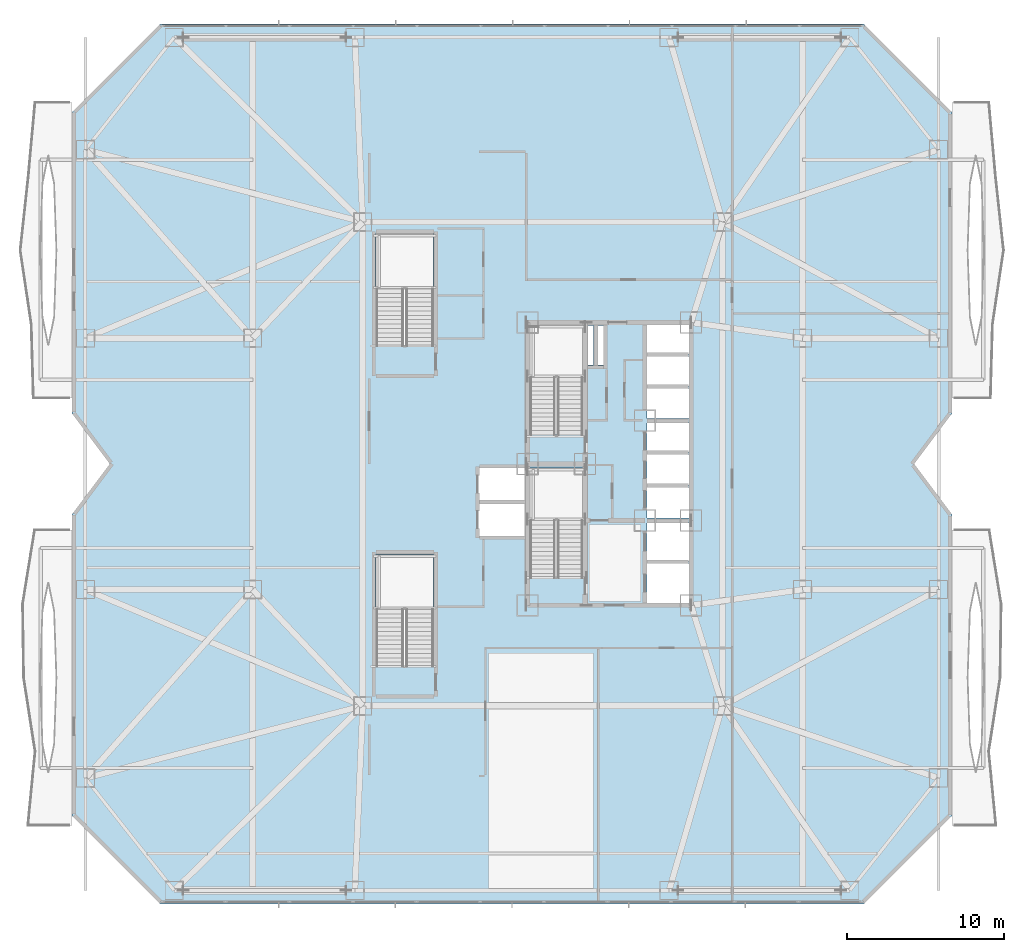
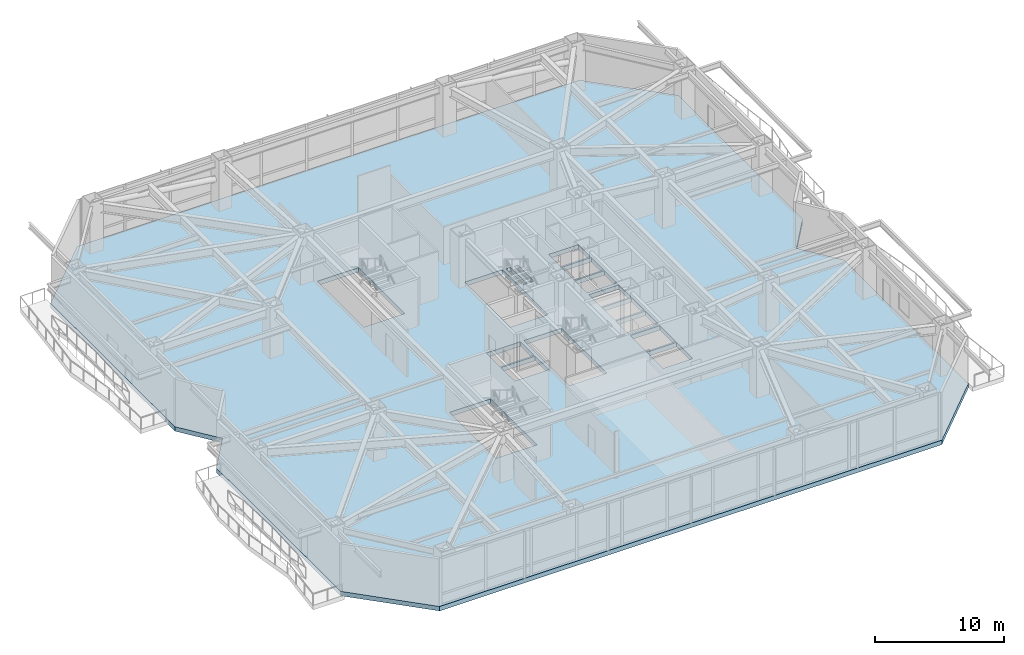
# One storey, part 17 of 33: 1 slab.
"""IFC4 building model written with IfcOpenShell, lengths in metres."""

import ifcopenshell
import ifcopenshell.guid

model = None  # the IFC model being written
_history = None  # IfcOwnerHistory: only IFC2X3 demands one
_inside = {}  # id of a spatial element -> (the spatial element, [elements in it])
_under = {}  # id of a project, library or spatial element -> (it, [spatial elements below it])
_declared = {}  # id of a project -> (the project, [libraries it declares])
_typed = {}  # id of a type object -> (the type object, [elements of that type])
_made_of = {}  # id of a material, layer set ... -> (it, [elements and type objects made of it])


def new_model(schema):
    """Start an empty IFC model of exactly this schema.

    Asked for "IFC4X3", IfcOpenShell would pick the latest addendum, in which some entities
    have other attributes; the version numbers below select the first issue.
    IFC2X3 requires an IfcOwnerHistory on every rooted entity: one is made here for all.
    """
    global model, _history
    if schema == "IFC4X3":
        model = ifcopenshell.file(schema_version=(4, 3, 0, 0))
    else:
        model = ifcopenshell.file(schema=schema)
    _inside.clear()
    _under.clear()
    _declared.clear()
    _typed.clear()
    _made_of.clear()
    _history = None
    if model.schema == "IFC2X3":
        org = make("IfcOrganization", Name="unknown")
        user = make(
            "IfcPersonAndOrganization",
            ThePerson=make("IfcPerson", FamilyName="unknown"),
            TheOrganization=org,
        )
        app = make(
            "IfcApplication",
            ApplicationDeveloper=org,
            Version="unknown",
            ApplicationFullName="unknown",
            ApplicationIdentifier="unknown",
        )
        _history = make(
            "IfcOwnerHistory",
            OwningUser=user,
            OwningApplication=app,
            ChangeAction="ADDED",
            CreationDate=0,
        )
    return model


def make(cls, **values):
    """One entity of the class cls with the attributes given. An attribute that is None is left unset."""
    return model.create_entity(
        cls, **{name: value for name, value in values.items() if value is not None}
    )


def rooted(cls, **values):
    """An entity with a GlobalId (a new one), such as an element, a storey or a relation."""
    return make(cls, GlobalId=ifcopenshell.guid.new(), OwnerHistory=_history, **values)


def si_unit(unit_type, name, prefix=None):
    """IfcSIUnit, for example si_unit("LENGTHUNIT", "METRE", prefix="MILLI")."""
    return make("IfcSIUnit", UnitType=unit_type, Prefix=prefix, Name=name)


def assignment(units):
    """IfcUnitAssignment: the units of a project."""
    return None if units is None else make("IfcUnitAssignment", Units=units)


def point(xyz):
    """IfcCartesianPoint."""
    return None if xyz is None else make("IfcCartesianPoint", Coordinates=xyz)


def direction(xyz):
    """IfcDirection."""
    return None if xyz is None else make("IfcDirection", DirectionRatios=xyz)


def frame(location, z_axis=None, x_axis=None):
    """IfcAxis2Placement3D, a coordinate frame: its origin and axes. An axis left out is left unset."""
    return make(
        "IfcAxis2Placement3D",
        Location=point(location),
        Axis=direction(z_axis),
        RefDirection=direction(x_axis),
    )


def origin():
    """The frame at (0, 0, 0) with its axes left unset."""
    return frame((0.0, 0.0, 0.0))


def place(relative_to, where):
    """IfcLocalPlacement: puts the frame where relative to a parent placement (None: the world)."""
    return make(
        "IfcLocalPlacement", PlacementRelTo=relative_to, RelativePlacement=where
    )


def context(
    kind, dimensions, precision=None, world=None, true_north=None, identifier=None
):
    """IfcGeometricRepresentationContext, for example the 3D "Model" context."""
    return make(
        "IfcGeometricRepresentationContext",
        ContextIdentifier=identifier,
        ContextType=kind,
        CoordinateSpaceDimension=dimensions,
        Precision=precision,
        WorldCoordinateSystem=world,
        TrueNorth=true_north,
    )


def subcontext(parent, identifier, kind, view, scale=None):
    """IfcGeometricRepresentationSubContext, for example "Body" below "Model"."""
    return make(
        "IfcGeometricRepresentationSubContext",
        ContextIdentifier=identifier,
        ContextType=kind,
        ParentContext=parent,
        TargetScale=scale,
        TargetView=view,
    )


def project(units=None, contexts=None):
    """IfcProject with its units and contexts."""
    return rooted(
        "IfcProject",
        Name="project",
        RepresentationContexts=contexts,
        UnitsInContext=assignment(units),
    )


def spatial(cls, under=None, at=None, **own):
    """A site, building, storey or space (cls), placed at a placement, below another one or the project."""
    s = rooted(cls, ObjectPlacement=at, **own)
    if under is not None:
        _under.setdefault(under.id(), (under, []))[1].append(s)
    return s


def polyline(points):
    """IfcPolyline through the points."""
    return make("IfcPolyline", Points=[point(p) for p in points])


def outline(outer, holes=None, kind="AREA"):
    """IfcArbitraryClosedProfileDef: a profile drawn as a closed curve; with holes, ...WithVoids."""
    if holes is None:
        return make("IfcArbitraryClosedProfileDef", ProfileType=kind, OuterCurve=outer)
    return make(
        "IfcArbitraryProfileDefWithVoids",
        ProfileType=kind,
        OuterCurve=outer,
        InnerCurves=holes,
    )


def extrude(swept, where, along, depth):
    """IfcExtrudedAreaSolid: the profile swept, set in the frame where, extruded along a direction by depth."""
    return make(
        "IfcExtrudedAreaSolid",
        SweptArea=swept,
        Position=where,
        ExtrudedDirection=direction(along),
        Depth=depth,
    )


def shape(context_of_items, identifier, shape_type, items):
    """IfcShapeRepresentation: the items that make up one representation, for example the "Body"."""
    return make(
        "IfcShapeRepresentation",
        ContextOfItems=context_of_items,
        RepresentationIdentifier=identifier,
        RepresentationType=shape_type,
        Items=items,
    )


def material(Name=None, Category=None):
    """IfcMaterial."""
    return make("IfcMaterial", Name=Name, Category=Category)


def layer(
    of_material, thickness, ventilated=None, Name=None, Category=None, Priority=None
):
    """IfcMaterialLayer: one layer of a wall or slab, of a material (None: an air gap)."""
    return make(
        "IfcMaterialLayer",
        Material=of_material,
        LayerThickness=thickness,
        IsVentilated=ventilated,
        Name=Name,
        Category=Category,
        Priority=Priority,
    )


def layer_set(layers, Name=None):
    """IfcMaterialLayerSet."""
    return make("IfcMaterialLayerSet", MaterialLayers=layers, LayerSetName=Name)


def made_of(thing, what):
    """Note that an element or type object is made of a material, layer set ...; save() writes the relation."""
    if what is not None:
        _made_of.setdefault(what.id(), (what, []))[1].append(thing)
    return thing


def type_object(cls, material=None, **own):
    """A type object (cls), such as IfcWallType, which elements share."""
    return made_of(rooted(cls, **own), material)


def element(
    cls,
    number,
    at=None,
    inside=None,
    cuts=None,
    type_object=None,
    material=None,
    context=None,
    identifier="Body",
    shape_type=None,
    held_by="IfcProductDefinitionShape",
    body=None,
    shapes=None,
    **own,
):
    """One element of the class cls, such as IfcWall. Its Tag is "e" and its number.

    at: its placement. inside: the storey or other place that contains it. cuts: it is an
    opening in that element (IfcRelVoidsElement). A single representation is given by context,
    identifier, shape_type and body (its items); several are given by shapes. held_by: the class
    of the entity that holds the representations. save() writes the other relations.
    """
    e = rooted(cls, Tag="e%d" % number, ObjectPlacement=at, **own)
    if body is not None:
        shapes = [shape(context, identifier, shape_type, body)]
    if shapes is not None:
        e.Representation = make(held_by, Representations=shapes)
    if inside is not None:
        _inside.setdefault(inside.id(), (inside, []))[1].append(e)
    if cuts is not None:
        rooted(
            "IfcRelVoidsElement", RelatingBuildingElement=cuts, RelatedOpeningElement=e
        )
    if type_object is not None:
        _typed.setdefault(type_object.id(), (type_object, []))[1].append(e)
    return made_of(e, material)


def aggregate(whole, parts):
    """IfcRelAggregates: a whole, such as a stair, and the parts it consists of."""
    return rooted("IfcRelAggregates", RelatingObject=whole, RelatedObjects=parts)


def save(model, path):
    """Write the relations noted so far, then the file.

    IfcRelAggregates (storeys below a building ...), IfcRelContainedInSpatialStructure (elements
    in a storey), IfcRelDefinesByType, IfcRelAssociatesMaterial and IfcRelDeclares: one each for
    every whole, place, type object, material and project.
    """
    for whole, parts in _under.values():
        aggregate(whole, parts)
    for where, things in _inside.values():
        rooted(
            "IfcRelContainedInSpatialStructure",
            RelatedElements=things,
            RelatingStructure=where,
        )
    for kind, things in _typed.values():
        rooted("IfcRelDefinesByType", RelatedObjects=things, RelatingType=kind)
    for what, things in _made_of.values():
        rooted("IfcRelAssociatesMaterial", RelatedObjects=things, RelatingMaterial=what)
    for by, libraries in _declared.values():
        rooted("IfcRelDeclares", RelatingContext=by, RelatedDefinitions=libraries)
    model.write(path)


model = new_model("IFC4")

# Units and contexts
model_context = context("Model", 3, precision=1e-05, world=origin(), true_north=direction((0.0, 1.0)))
body_context = subcontext(model_context, "Body", "Model", "MODEL_VIEW")
ifc_project = project(units=[si_unit("LENGTHUNIT", "METRE"), si_unit("AREAUNIT", "SQUARE_METRE"), si_unit("VOLUMEUNIT", "CUBIC_METRE"), si_unit("PLANEANGLEUNIT", "RADIAN"), si_unit("MASSUNIT", "GRAM", prefix="KILO")], contexts=[model_context])

# Site, building, storey
site_placement = place(None, origin())
site = spatial("IfcSite", under=ifc_project, at=site_placement, CompositionType="ELEMENT")
building_placement = place(site_placement, origin())
building = spatial("IfcBuilding", under=site, at=building_placement, Name="Khamvora Tower", CompositionType="ELEMENT")
storey_placement = place(building_placement, frame((0.0, 0.0, 7.199951171875)))
storey = spatial("IfcBuildingStorey", under=building, at=storey_placement, Name="L01", CompositionType="ELEMENT", Elevation=7.199951171875)

# Slab
ifc_material = material(Name="Concrete C40/50", Category="concrete")
ifc_layer = layer(ifc_material, 0.419921875)
ifc_layer_set = layer_set([ifc_layer], Name="Concrete C40/50")
slab_type = type_object("IfcSlabType", Name="SLB-BASE-420", PredefinedType="FLOOR", material=ifc_layer_set)
slab_placement = place(storey_placement, frame((0.0, 0.0, -0.419921875)))
element("IfcSlab", 1, at=slab_placement, inside=storey, type_object=slab_type, Name="L01 structural floor slab", PredefinedType="FLOOR", context=body_context, shape_type="SweptSolid", body=[
    extrude(outline(polyline([(5.60009765625, 0.0), (50.39990234375, 0.0), (56.0, 5.60009765625), (56.0, 24.800048828125), (53.60009765625, 28.0), (56.0, 31.199951171875), (56.0, 50.39990234375), (50.39990234375, 56.0), (5.60009765625, 56.0), (0.0, 50.39990234375), (0.0, 31.199951171875), (2.39990234375, 28.0), (0.0, 24.800048828125), (0.0, 5.60009765625), (5.60009765625, 0.0)]), holes=[polyline([(32.5, 20.760009765625), (32.5, 27.75), (29.14990234375, 27.75), (29.14990234375, 20.760009765625), (32.5, 20.760009765625)]), polyline([(32.5, 29.860107421875), (32.5, 36.85009765625), (29.14990234375, 36.85009765625), (29.14990234375, 29.860107421875), (32.5, 29.860107421875)]), polyline([(23.0, 15.110107421875), (23.0, 22.25), (19.35009765625, 22.25), (19.35009765625, 15.110107421875), (23.0, 15.110107421875)]), polyline([(23.0, 35.510009765625), (23.0, 42.64990234375), (19.35009765625, 42.64990234375), (19.35009765625, 35.510009765625), (23.0, 35.510009765625)]), polyline([(36.60009765625, 19.14990234375), (39.25, 19.14990234375), (39.25, 21.64990234375), (36.60009765625, 21.64990234375), (36.60009765625, 19.14990234375)]), polyline([(36.60009765625, 21.800048828125), (39.25, 21.800048828125), (39.25, 24.25), (36.60009765625, 24.25), (36.60009765625, 21.800048828125)]), polyline([(36.60009765625, 24.550048828125), (39.25, 24.550048828125), (39.25, 26.5), (36.60009765625, 26.5), (36.60009765625, 24.550048828125)]), polyline([(36.60009765625, 26.64990234375), (39.25, 26.64990234375), (39.25, 28.60009765625), (36.60009765625, 28.60009765625), (36.60009765625, 26.64990234375)]), polyline([(36.60009765625, 28.75), (39.25, 28.75), (39.25, 30.60009765625), (36.60009765625, 30.60009765625), (36.60009765625, 28.75)]), polyline([(36.60009765625, 30.89990234375), (39.25, 30.89990234375), (39.25, 32.800048828125), (36.60009765625, 32.800048828125), (36.60009765625, 30.89990234375)]), polyline([(36.60009765625, 32.949951171875), (39.25, 32.949951171875), (39.25, 34.85009765625), (36.60009765625, 34.85009765625), (36.60009765625, 32.949951171875)]), polyline([(36.60009765625, 35.0), (39.25, 35.0), (39.25, 36.85009765625), (36.60009765625, 36.85009765625), (36.60009765625, 35.0)]), polyline([(25.800048828125, 23.39990234375), (28.85009765625, 23.39990234375), (28.85009765625, 25.5), (25.800048828125, 25.5), (25.800048828125, 23.39990234375)]), polyline([(25.800048828125, 25.64990234375), (28.85009765625, 25.64990234375), (28.85009765625, 27.75), (25.800048828125, 27.75), (25.800048828125, 25.64990234375)]), polyline([(32.800048828125, 34.300048828125), (33.199951171875, 34.300048828125), (33.199951171875, 36.800048828125), (32.800048828125, 36.800048828125), (32.800048828125, 34.300048828125)]), polyline([(33.47998046875, 34.300048828125), (33.820068359375, 34.300048828125), (33.820068359375, 36.800048828125), (33.47998046875, 36.800048828125), (33.47998046875, 34.300048828125)])]), origin(), (0.0, 0.0, 1.0), 0.419921875),
])

save(model, "model.ifc")
